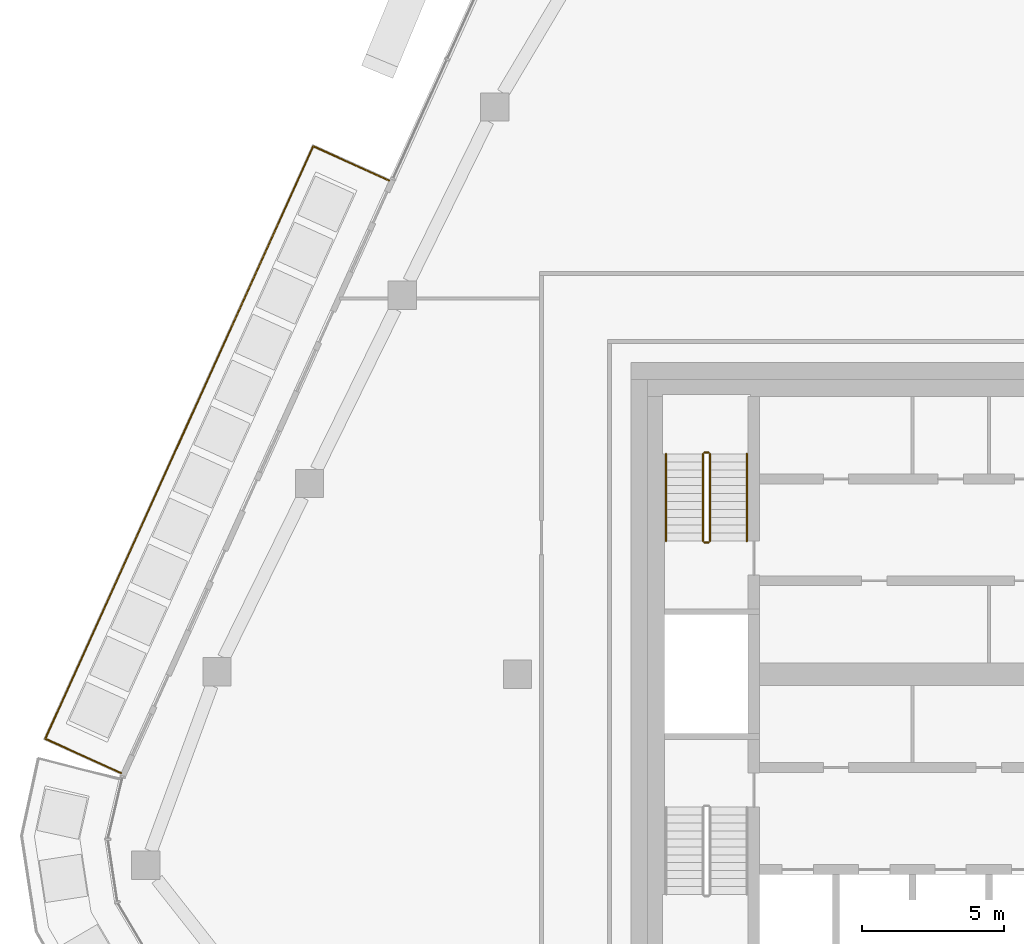
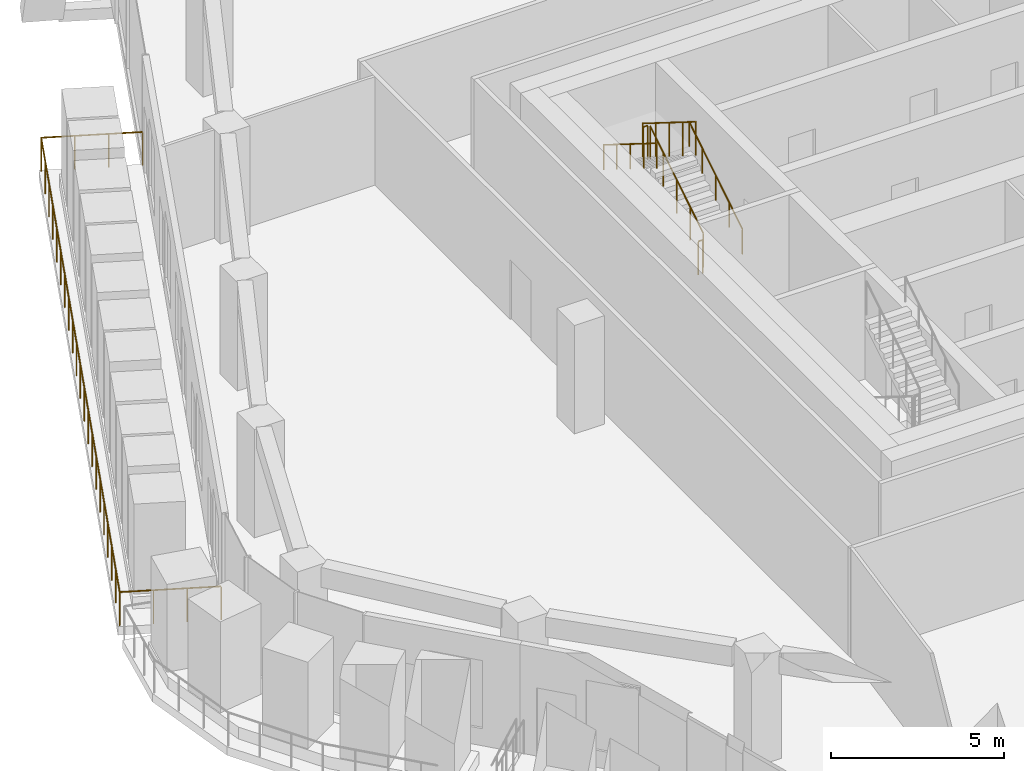
# One storey, part 20 of 23: 7 railings.
"""IFC4 building model written with IfcOpenShell, lengths in metres."""

from ifc_helpers import new_model, si_unit, direction, frame, origin, origin_2d, place, context, subcontext, project, spatial, circle, extrude, material, type_object, element, save


model = new_model("IFC4")

# Units and contexts
model_context = context("Model", 3, precision=1e-05, world=origin(), true_north=direction((0.0, 1.0)))
body_context = subcontext(model_context, "Body", "Model", "MODEL_VIEW")
ifc_project = project(units=[si_unit("LENGTHUNIT", "METRE"), si_unit("AREAUNIT", "SQUARE_METRE"), si_unit("VOLUMEUNIT", "CUBIC_METRE"), si_unit("PLANEANGLEUNIT", "RADIAN"), si_unit("MASSUNIT", "GRAM", prefix="KILO")], contexts=[model_context])

# Site, building, storey
site_placement = place(None, origin())
site = spatial("IfcSite", under=ifc_project, at=site_placement, CompositionType="ELEMENT")
building_placement = place(site_placement, origin())
building = spatial("IfcBuilding", under=site, at=building_placement, Name="Dongbaek Canopy Tower", CompositionType="ELEMENT")
storey_placement = place(building_placement, frame((0.0, 0.0, 319.39990234375)))
storey = spatial("IfcBuildingStorey", under=building, at=storey_placement, Name="L68", CompositionType="ELEMENT", Elevation=319.39990234375)

# Railings
ifc_material_1 = material(Name="Stainless steel", Category="steel")
railing_type_1 = type_object("IfcRailingType", Name="Balcony balustrade 1200", PredefinedType="BALUSTRADE", material=ifc_material_1)
railing_1_placement = place(storey_placement, frame((-22.535400390625, 17.43603515625, 0.0)))
element("IfcRailing", 1, at=railing_1_placement, inside=storey, type_object=railing_type_1, Name="Balcony guard L68 2", PredefinedType="BALUSTRADE", context=body_context, shape_type="SweptSolid", body=[
    extrude(circle(Radius=0.02392578125, at=origin_2d()), frame((0.0, 0.0, 1.17578125), z_axis=(-0.911124256747, 0.412131761414, 0.0), x_axis=(-0.412131761414, -0.911124256747, 0.0)), (0.0, 0.0, 1.0), 2.93994140625),
    extrude(circle(Radius=0.02392578125, at=origin_2d()), frame((-2.6787109375, 1.211669921875, 1.17578125), z_axis=(-0.412124594667, -0.911127498471, 0.0), x_axis=(0.911127498471, -0.412124594667, 0.0)), (0.0, 0.0, 1.0), 22.97021484375),
    extrude(circle(Radius=0.02392578125, at=origin_2d()), frame((-12.145263671875, -19.717041015625, 1.17578125), z_axis=(0.911124256747, -0.412131761414, 0.0), x_axis=(0.412131761414, 0.911124256747, 0.0)), (0.0, 0.0, 1.0), 2.93994140625),
    extrude(circle(Radius=0.02099609375, at=origin_2d()), origin(), (0.0, 0.0, 1.0), 1.15185546875),
    extrude(circle(Radius=0.02099609375, at=origin_2d()), frame((-0.892822265625, 0.40380859375, 0.0)), (0.0, 0.0, 1.0), 1.15185546875),
    extrude(circle(Radius=0.02099609375, at=origin_2d()), frame((-1.785888671875, 0.807861328125, 0.0)), (0.0, 0.0, 1.0), 1.15185546875),
    extrude(circle(Radius=0.02099609375, at=origin_2d()), frame((-2.6787109375, 1.211669921875, 0.0)), (0.0, 0.0, 1.0), 1.15185546875),
    extrude(circle(Radius=0.02099609375, at=origin_2d()), frame((-3.152099609375, 0.165283203125, 0.0)), (0.0, 0.0, 1.0), 1.15185546875),
    extrude(circle(Radius=0.02099609375, at=origin_2d()), frame((-3.62548828125, -0.881103515625, 0.0)), (0.0, 0.0, 1.0), 1.15185546875),
    extrude(circle(Radius=0.02099609375, at=origin_2d()), frame((-4.0986328125, -1.927734375, 0.0)), (0.0, 0.0, 1.0), 1.15185546875),
    extrude(circle(Radius=0.02099609375, at=origin_2d()), frame((-4.572021484375, -2.97412109375, 0.0)), (0.0, 0.0, 1.0), 1.15185546875),
    extrude(circle(Radius=0.02099609375, at=origin_2d()), frame((-5.04541015625, -4.0205078125, 0.0)), (0.0, 0.0, 1.0), 1.15185546875),
    extrude(circle(Radius=0.02099609375, at=origin_2d()), frame((-5.5185546875, -5.06689453125, 0.0)), (0.0, 0.0, 1.0), 1.15185546875),
    extrude(circle(Radius=0.02099609375, at=origin_2d()), frame((-5.991943359375, -6.11328125, 0.0)), (0.0, 0.0, 1.0), 1.15185546875),
    extrude(circle(Radius=0.02099609375, at=origin_2d()), frame((-6.46533203125, -7.159912109375, 0.0)), (0.0, 0.0, 1.0), 1.15185546875),
    extrude(circle(Radius=0.02099609375, at=origin_2d()), frame((-6.938720703125, -8.206298828125, 0.0)), (0.0, 0.0, 1.0), 1.15185546875),
    extrude(circle(Radius=0.02099609375, at=origin_2d()), frame((-7.412109375, -9.252685546875, 0.0)), (0.0, 0.0, 1.0), 1.15185546875),
    extrude(circle(Radius=0.02099609375, at=origin_2d()), frame((-7.88525390625, -10.299072265625, 0.0)), (0.0, 0.0, 1.0), 1.15185546875),
    extrude(circle(Radius=0.02099609375, at=origin_2d()), frame((-8.358642578125, -11.345458984375, 0.0)), (0.0, 0.0, 1.0), 1.15185546875),
    extrude(circle(Radius=0.02099609375, at=origin_2d()), frame((-8.83203125, -12.39208984375, 0.0)), (0.0, 0.0, 1.0), 1.15185546875),
    extrude(circle(Radius=0.02099609375, at=origin_2d()), frame((-9.30517578125, -13.4384765625, 0.0)), (0.0, 0.0, 1.0), 1.15185546875),
    extrude(circle(Radius=0.02099609375, at=origin_2d()), frame((-9.778564453125, -14.48486328125, 0.0)), (0.0, 0.0, 1.0), 1.15185546875),
    extrude(circle(Radius=0.02099609375, at=origin_2d()), frame((-10.251953125, -15.53125, 0.0)), (0.0, 0.0, 1.0), 1.15185546875),
    extrude(circle(Radius=0.02099609375, at=origin_2d()), frame((-10.725341796875, -16.57763671875, 0.0)), (0.0, 0.0, 1.0), 1.15185546875),
    extrude(circle(Radius=0.02099609375, at=origin_2d()), frame((-11.19873046875, -17.624267578125, 0.0)), (0.0, 0.0, 1.0), 1.15185546875),
    extrude(circle(Radius=0.02099609375, at=origin_2d()), frame((-11.671875, -18.670654296875, 0.0)), (0.0, 0.0, 1.0), 1.15185546875),
    extrude(circle(Radius=0.02099609375, at=origin_2d()), frame((-12.145263671875, -19.717041015625, 0.0)), (0.0, 0.0, 1.0), 1.15185546875),
    extrude(circle(Radius=0.02099609375, at=origin_2d()), frame((-11.25244140625, -20.120849609375, 0.0)), (0.0, 0.0, 1.0), 1.15185546875),
    extrude(circle(Radius=0.02099609375, at=origin_2d()), frame((-10.359375, -20.52490234375, 0.0)), (0.0, 0.0, 1.0), 1.15185546875),
    extrude(circle(Radius=0.02099609375, at=origin_2d()), frame((-9.466552734375, -20.9287109375, 0.0)), (0.0, 0.0, 1.0), 1.15185546875),
])
ifc_material_2 = material(Name="Stainless steel tube and balusters", Category="steel")
railing_type_2 = type_object("IfcRailingType", Name="Stair guard 1200", PredefinedType="GUARDRAIL", material=ifc_material_2)
railing_2_placement = place(storey_placement, frame((-11.199951171875, 4.699951171875, 0.175048828125)))
element("IfcRailing", 2, at=railing_2_placement, inside=storey, type_object=railing_type_2, Name="L68 ST-C stair guard 1", PredefinedType="GUARDRAIL", context=body_context, shape_type="SweptSolid", body=[
    extrude(circle(Radius=0.02392578125, at=origin_2d()), frame((0.0, 0.0, 1.17578125), z_axis=(0.0, 0.847998304005, 0.529998940003), x_axis=(-1.0, 0.0, 0.0)), (0.0, 0.0, 1.0), 3.632080078125),
    extrude(circle(Radius=0.02099609375, at=origin_2d()), origin(), (0.0, 0.0, 1.0), 1.15185546875),
    extrude(circle(Radius=0.02099609375, at=origin_2d()), frame((0.0, 0.77001953125, 0.481201171875)), (0.0, 0.0, 1.0), 1.15185546875),
    extrude(circle(Radius=0.02099609375, at=origin_2d()), frame((0.0, 1.5400390625, 0.96240234375)), (0.0, 0.0, 1.0), 1.15185546875),
    extrude(circle(Radius=0.02099609375, at=origin_2d()), frame((0.0, 2.31005859375, 1.44384765625)), (0.0, 0.0, 1.0), 1.15185546875),
    extrude(circle(Radius=0.02099609375, at=origin_2d()), frame((0.0, 3.080078125, 1.925048828125)), (0.0, 0.0, 1.0), 1.15185546875),
])
railing_3_placement = place(storey_placement, frame((-11.25, 7.830078125, 2.10009765625)))
element("IfcRailing", 3, at=railing_3_placement, inside=storey, type_object=railing_type_2, Name="L68 ST-C stair guard 2", PredefinedType="GUARDRAIL", context=body_context, shape_type="SweptSolid", body=[
    extrude(circle(Radius=0.02392578125, at=origin_2d()), frame((0.0, 0.0, 1.17578125), z_axis=(-1.0, 0.0, 0.0), x_axis=(0.0, -1.0, 0.0)), (0.0, 0.0, 1.0), 0.14990234375),
    extrude(circle(Radius=0.02099609375, at=origin_2d()), origin(), (0.0, 0.0, 1.0), 1.15185546875),
    extrude(circle(Radius=0.02099609375, at=origin_2d()), frame((-0.14990234375, 0.0, 0.0)), (0.0, 0.0, 1.0), 1.15185546875),
])
railing_4_placement = place(storey_placement, frame((-11.449951171875, 7.780029296875, 2.275146484375)))
element("IfcRailing", 4, at=railing_4_placement, inside=storey, type_object=railing_type_2, Name="L68 ST-C stair guard 3", PredefinedType="GUARDRAIL", context=body_context, shape_type="SweptSolid", body=[
    extrude(circle(Radius=0.02392578125, at=origin_2d()), frame((0.0, 0.0, 1.17578125), z_axis=(0.0, -0.847998304005, 0.529998940003), x_axis=(1.0, 0.0, 0.0)), (0.0, 0.0, 1.0), 3.632080078125),
    extrude(circle(Radius=0.02099609375, at=origin_2d()), origin(), (0.0, 0.0, 1.0), 1.15185546875),
    extrude(circle(Radius=0.02099609375, at=origin_2d()), frame((0.0, -0.77001953125, 0.481201171875)), (0.0, 0.0, 1.0), 1.15185546875),
    extrude(circle(Radius=0.02099609375, at=origin_2d()), frame((0.0, -1.5400390625, 0.96240234375)), (0.0, 0.0, 1.0), 1.15185546875),
    extrude(circle(Radius=0.02099609375, at=origin_2d()), frame((0.0, -2.31005859375, 1.44384765625)), (0.0, 0.0, 1.0), 1.15185546875),
    extrude(circle(Radius=0.02099609375, at=origin_2d()), frame((0.0, -3.080078125, 1.925048828125)), (0.0, 0.0, 1.0), 1.15185546875),
])
railing_5_placement = place(storey_placement, frame((-11.25, 4.64990234375, 0.0)))
element("IfcRailing", 5, at=railing_5_placement, inside=storey, type_object=railing_type_2, Name="L68 ST-C stair guard 4", PredefinedType="GUARDRAIL", context=body_context, shape_type="SweptSolid", body=[
    extrude(circle(Radius=0.02392578125, at=origin_2d()), frame((0.0, 0.0, 1.17578125), z_axis=(-1.0, 0.0, 0.0), x_axis=(0.0, -1.0, 0.0)), (0.0, 0.0, 1.0), 0.14990234375),
    extrude(circle(Radius=0.02099609375, at=origin_2d()), origin(), (0.0, 0.0, 1.0), 1.15185546875),
    extrude(circle(Radius=0.02099609375, at=origin_2d()), frame((-0.14990234375, 0.0, 0.0)), (0.0, 0.0, 1.0), 1.15185546875),
])
ifc_material_3 = material(Name="Stainless steel tube", Category="steel")
railing_type_3 = type_object("IfcRailingType", Name="Stair handrail 900", PredefinedType="HANDRAIL", material=ifc_material_3)
railing_6_placement = place(storey_placement, frame((-9.89990234375, 4.699951171875, 0.175048828125)))
element("IfcRailing", 6, at=railing_6_placement, inside=storey, type_object=railing_type_3, Name="L68 ST-C stair handrail 1", PredefinedType="HANDRAIL", context=body_context, shape_type="SweptSolid", body=[
    extrude(circle(Radius=0.02392578125, at=origin_2d()), frame((0.0, 0.0, 0.8759765625), z_axis=(0.0, 0.847998304005, 0.529998940003), x_axis=(-1.0, 0.0, 0.0)), (0.0, 0.0, 1.0), 3.632080078125),
    extrude(circle(Radius=0.02099609375, at=origin_2d()), origin(), (0.0, 0.0, 1.0), 0.851806640625),
    extrude(circle(Radius=0.02099609375, at=origin_2d()), frame((0.0, 0.77001953125, 0.481201171875)), (0.0, 0.0, 1.0), 0.851806640625),
    extrude(circle(Radius=0.02099609375, at=origin_2d()), frame((0.0, 1.5400390625, 0.96240234375)), (0.0, 0.0, 1.0), 0.851806640625),
    extrude(circle(Radius=0.02099609375, at=origin_2d()), frame((0.0, 2.31005859375, 1.44384765625)), (0.0, 0.0, 1.0), 0.851806640625),
    extrude(circle(Radius=0.02099609375, at=origin_2d()), frame((0.0, 3.080078125, 1.925048828125)), (0.0, 0.0, 1.0), 0.851806640625),
])
railing_7_placement = place(storey_placement, frame((-12.75, 7.780029296875, 2.275146484375)))
element("IfcRailing", 7, at=railing_7_placement, inside=storey, type_object=railing_type_3, Name="L68 ST-C stair handrail 2", PredefinedType="HANDRAIL", context=body_context, shape_type="SweptSolid", body=[
    extrude(circle(Radius=0.02392578125, at=origin_2d()), frame((0.0, 0.0, 0.8759765625), z_axis=(0.0, -0.847998304005, 0.529998940003), x_axis=(1.0, 0.0, 0.0)), (0.0, 0.0, 1.0), 3.632080078125),
    extrude(circle(Radius=0.02099609375, at=origin_2d()), origin(), (0.0, 0.0, 1.0), 0.851806640625),
    extrude(circle(Radius=0.02099609375, at=origin_2d()), frame((0.0, -0.77001953125, 0.481201171875)), (0.0, 0.0, 1.0), 0.851806640625),
    extrude(circle(Radius=0.02099609375, at=origin_2d()), frame((0.0, -1.5400390625, 0.96240234375)), (0.0, 0.0, 1.0), 0.851806640625),
    extrude(circle(Radius=0.02099609375, at=origin_2d()), frame((0.0, -2.31005859375, 1.44384765625)), (0.0, 0.0, 1.0), 0.851806640625),
    extrude(circle(Radius=0.02099609375, at=origin_2d()), frame((0.0, -3.080078125, 1.925048828125)), (0.0, 0.0, 1.0), 0.851806640625),
])

save(model, "model.ifc")
